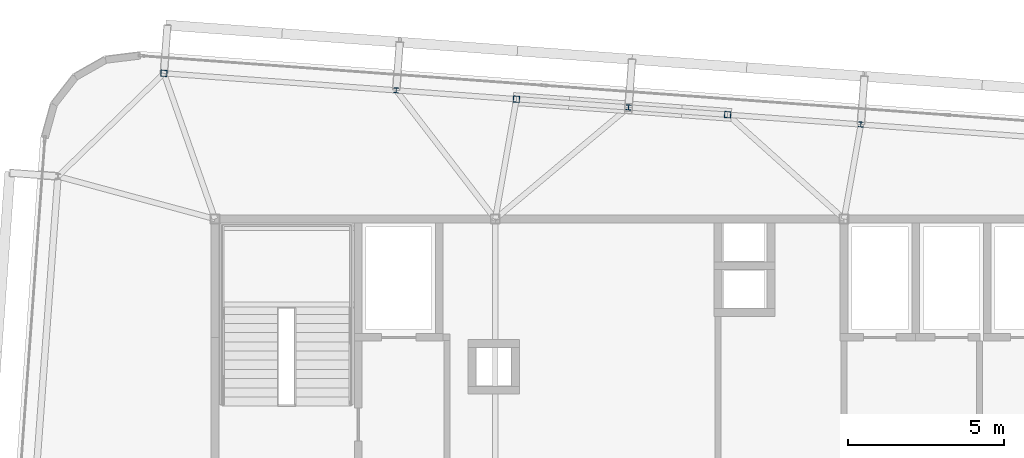
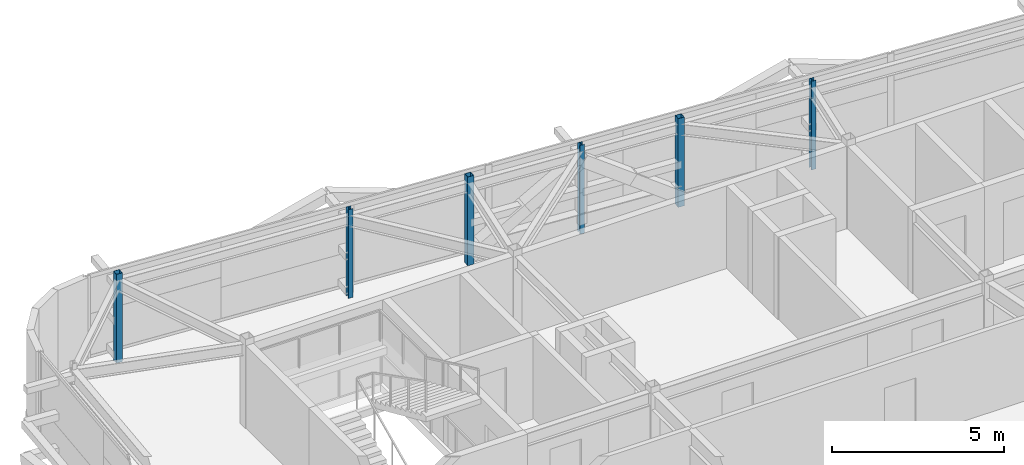
# One storey, part 7 of 35: 6 columns.
"""IFC4 building model written with IfcOpenShell, lengths in metres."""

from ifc_helpers import new_model, si_unit, direction, frame, origin, origin_2d, place, context, subcontext, project, spatial, hollow_rectangle, i_section, extrude, source, transform, mapped, material, material_profile, profile_set, type_object, element, save


model = new_model("IFC4")

# Units and contexts
model_context = context("Model", 3, precision=1e-05, world=origin(), true_north=direction((0.0, 1.0)))
body_context = subcontext(model_context, "Body", "Model", "MODEL_VIEW")
ifc_project = project(units=[si_unit("LENGTHUNIT", "METRE"), si_unit("AREAUNIT", "SQUARE_METRE"), si_unit("VOLUMEUNIT", "CUBIC_METRE"), si_unit("PLANEANGLEUNIT", "RADIAN"), si_unit("MASSUNIT", "GRAM", prefix="KILO")], contexts=[model_context])

# Site, building, storey
site_placement = place(None, origin())
site = spatial("IfcSite", under=ifc_project, at=site_placement, CompositionType="ELEMENT")
building_placement = place(site_placement, origin())
building = spatial("IfcBuilding", under=site, at=building_placement, Name="Taldren Reach Tower", CompositionType="ELEMENT")
storey_placement = place(building_placement, frame((0.0, 0.0, 236.60009765625)))
storey = spatial("IfcBuildingStorey", under=building, at=storey_placement, Name="L72", CompositionType="ELEMENT", Elevation=236.60009765625)

# Columns
ifc_material_1 = material(Name="Steel Gr 350 (C350L0)", Category="steel")
ifc_material_profile_1 = material_profile(ifc_material_1, hollow_rectangle(XDim=0.199951171875, YDim=0.199951171875, WallThickness=0.009033203125, at=origin_2d()), Name="200x200x9.0SHS")
ifc_profile_set_1 = profile_set([ifc_material_profile_1], Name="Steel Gr 350 (C350L0)")
column_type_1 = type_object("IfcColumnType", Name="COL-SHS200", PredefinedType="COLUMN", material=ifc_profile_set_1)
shared_shape_1 = source(origin(), body_context, "Body", "SweptSolid", [
    extrude(hollow_rectangle(XDim=0.199951171875, YDim=0.199951171875, WallThickness=0.009033203125, at=origin_2d()), origin(), (0.0, 0.0, 1.0), 3.14990234375),
])
for number, where, z_axis, x_axis, name in (
    (1, (17.35986328125, 36.678955078125, 0.0), (0.0, 0.0, 1.0), (0.997314477224, -0.073238197128, 0.0), "Block B5 perimeter column N1 L72"),
    (2, (28.67919921875, 35.84765625, 0.0), (0.0, 0.0, 1.0), (0.997314477224, -0.073238197128, 0.0), "Block B5 perimeter column PJN1 L72"),
    (3, (35.4609375, 35.349609375, 0.0), (0.0, 0.0, 1.0), (0.997314477224, -0.073238197128, 0.0), "Block B5 perimeter column PJN2 L72"),
):
    element("IfcColumn", number, at=place(storey_placement, frame(where, z_axis=z_axis, x_axis=x_axis)), inside=storey, type_object=column_type_1, Name=name, PredefinedType="COLUMN", context=body_context, shape_type="MappedRepresentation", body=[
        mapped(shared_shape_1, transform((0.0, 0.0, 0.0), scale=1.0)),
    ])
ifc_material_2 = material(Name="Steel Gr 350 (350PLUS)", Category="steel")
ifc_material_profile_2 = material_profile(ifc_material_2, i_section(OverallWidth=0.154052734375, OverallDepth=0.162109375, WebThickness=0.008056640625, FlangeThickness=0.011474609375, at=origin_2d()), Name="150UC37.2")
ifc_profile_set_2 = profile_set([ifc_material_profile_2], Name="Steel Gr 350 (350PLUS)")
column_type_2 = type_object("IfcColumnType", Name="COL-UC150", PredefinedType="COLUMN", material=ifc_profile_set_2)
shared_shape_2 = source(origin(), body_context, "Body", "SweptSolid", [
    extrude(i_section(OverallWidth=0.154052734375, OverallDepth=0.162109375, WebThickness=0.008056640625, FlangeThickness=0.011474609375, at=origin_2d()), origin(), (0.0, 0.0, 1.0), 3.14990234375),
])
for number, where, z_axis, x_axis, name in (
    (4, (24.819580078125, 36.131103515625, 0.0), (0.0, 0.0, 1.0), (0.997314477224, -0.073238197128, 0.0), "Block B5 perimeter column N2 L72"),
    (5, (32.279541015625, 35.583251953125, 0.0), (0.0, 0.0, 1.0), (0.997314477224, -0.073238197128, 0.0), "Block B5 perimeter column N3 L72"),
    (6, (39.739501953125, 35.035400390625, 0.0), (0.0, 0.0, 1.0), (0.997314477224, -0.073238197128, 0.0), "Block B5 perimeter column N4 L72"),
):
    element("IfcColumn", number, at=place(storey_placement, frame(where, z_axis=z_axis, x_axis=x_axis)), inside=storey, type_object=column_type_2, Name=name, PredefinedType="COLUMN", context=body_context, shape_type="MappedRepresentation", body=[
        mapped(shared_shape_2, transform((0.0, 0.0, 0.0), scale=1.0)),
    ])

save(model, "model.ifc")
